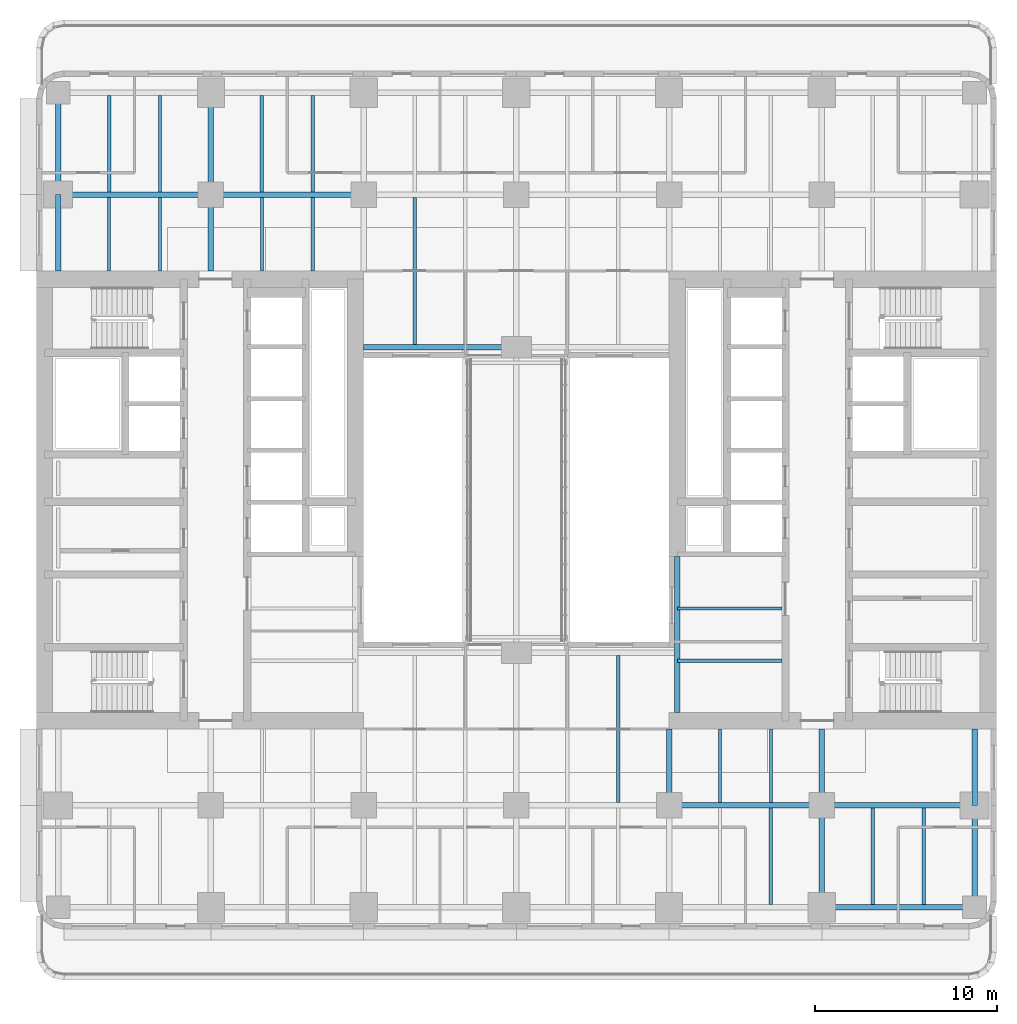
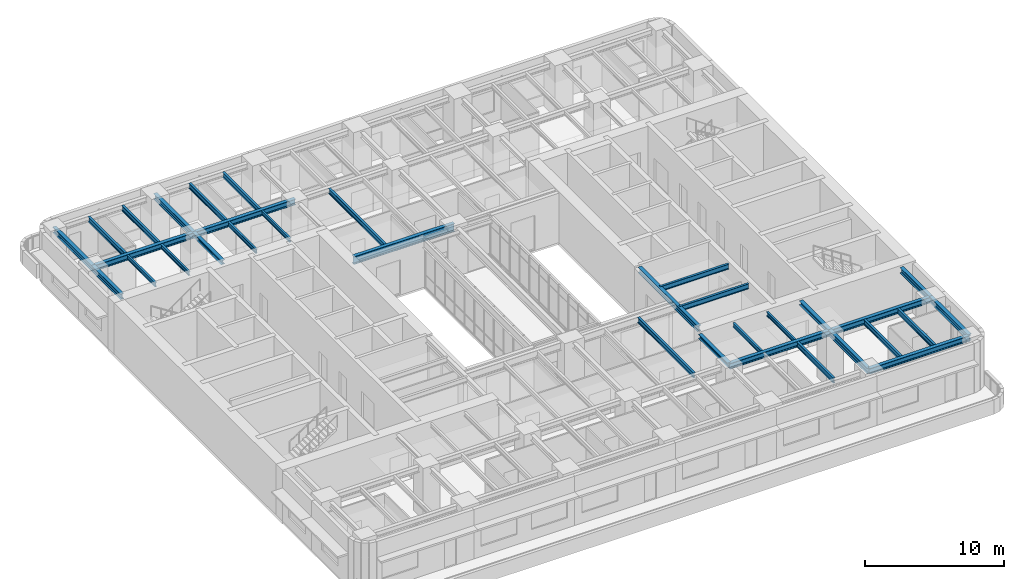
# One storey, part 4 of 17: 33 beams.
"""IFC4 building model written with IfcOpenShell, lengths in metres."""

from ifc_helpers import new_model, si_unit, direction, frame, origin, origin_2d, place, context, subcontext, project, spatial, i_section, extrude, material, material_profile, profile_set, type_object, element, save


model = new_model("IFC4")

# Units and contexts
model_context = context("Model", 3, precision=1e-05, world=origin(), true_north=direction((0.0, 1.0)))
body_context = subcontext(model_context, "Body", "Model", "MODEL_VIEW")
ifc_project = project(units=[si_unit("LENGTHUNIT", "METRE"), si_unit("AREAUNIT", "SQUARE_METRE"), si_unit("VOLUMEUNIT", "CUBIC_METRE"), si_unit("PLANEANGLEUNIT", "RADIAN"), si_unit("MASSUNIT", "GRAM", prefix="KILO")], contexts=[model_context])

# Site, building, storey
site_placement = place(None, origin())
site = spatial("IfcSite", under=ifc_project, at=site_placement, CompositionType="ELEMENT")
building_placement = place(site_placement, origin())
building = spatial("IfcBuilding", under=site, at=building_placement, Name="Claustro Exchange Tower", CompositionType="ELEMENT")
storey_placement = place(building_placement, frame((0.0, 0.0, 96.300048828125)))
storey = spatial("IfcBuildingStorey", under=building, at=storey_placement, Name="L21", CompositionType="ELEMENT", Elevation=96.300048828125)

# Beams
ifc_material_1 = material(Name="Steel S355", Category="steel")
ifc_material_profile_1 = material_profile(ifc_material_1, i_section(OverallWidth=0.300048828125, OverallDepth=0.68994140625, WebThickness=0.014404296875, FlangeThickness=0.027099609375, FilletRadius=0.027099609375, at=origin_2d()), Name="HE 700 A")
ifc_profile_set_1 = profile_set([ifc_material_profile_1], Name="Steel S355")
beam_type_1 = type_object("IfcBeamType", Name="B13 HE 700 A light well edge girder", PredefinedType="BEAM", material=ifc_profile_set_1)
beam_1_placement = place(storey_placement, frame((16.800048828125, 33.60009765625, 4.0048828125), z_axis=(1.0, 0.0, 0.0), x_axis=(0.0, 1.0, 0.0)))
element("IfcBeam", 1, at=beam_1_placement, inside=storey, type_object=beam_type_1, Name="Beam B13 L22", PredefinedType="BEAM", context=body_context, shape_type="SweptSolid", body=[
    extrude(i_section(OverallWidth=0.300048828125, OverallDepth=0.68994140625, WebThickness=0.014404296875, FlangeThickness=0.027099609375, FilletRadius=0.027099609375, at=origin_2d()), origin(), (0.0, 0.0, 1.0), 8.39990234375),
])
ifc_material_2 = material(Name="Steel S355", Category="steel")
ifc_material_profile_2 = material_profile(ifc_material_2, i_section(OverallWidth=0.169921875, OverallDepth=0.360107421875, WebThickness=0.008056640625, FlangeThickness=0.0126953125, FilletRadius=0.01806640625, at=origin_2d()), Name="IPE 360")
ifc_profile_set_2 = profile_set([ifc_material_profile_2], Name="Steel S355")
beam_type_2 = type_object("IfcBeamType", Name="B16 IPE 360 short-span beam", PredefinedType="BEAM", material=ifc_profile_set_2)
for number, where, z_axis, x_axis, name in (
    (2, (2.800048828125, 37.7900390625, 4.169921875), (0.0, 1.0, 0.0), (-1.0, 0.0, 0.0), "Beam B16 L22"),
    (3, (5.60009765625, 37.7900390625, 4.169921875), (0.0, 1.0, 0.0), (-1.0, 0.0, 0.0), "Beam B16 L22"),
    (4, (11.199951171875, 37.7900390625, 4.169921875), (0.0, 1.0, 0.0), (-1.0, 0.0, 0.0), "Beam B16 L22"),
    (5, (14.0, 37.7900390625, 4.169921875), (0.0, 1.0, 0.0), (-1.0, 0.0, 0.0), "Beam B16 L22"),
    (6, (36.39990234375, 8.550048828125, 4.169921875), (0.0, 1.0, 0.0), (-1.0, 0.0, 0.0), "Beam B16 L22"),
    (7, (39.199951171875, 8.550048828125, 4.169921875), (0.0, 1.0, 0.0), (-1.0, 0.0, 0.0), "Beam B16 L22"),
):
    element("IfcBeam", number, at=place(storey_placement, frame(where, z_axis=z_axis, x_axis=x_axis)), inside=storey, type_object=beam_type_2, Name=name, PredefinedType="BEAM", context=body_context, shape_type="SweptSolid", body=[
        extrude(i_section(OverallWidth=0.169921875, OverallDepth=0.360107421875, WebThickness=0.008056640625, FlangeThickness=0.0126953125, FilletRadius=0.01806640625, at=origin_2d()), origin(), (0.0, 0.0, 1.0), 4.06005859375),
    ])
ifc_material_3 = material(Name="Steel S355", Category="steel")
ifc_material_profile_3 = material_profile(ifc_material_3, i_section(OverallWidth=0.300048828125, OverallDepth=0.360107421875, WebThickness=0.012451171875, FlangeThickness=0.0224609375, FilletRadius=0.027099609375, at=origin_2d()), Name="HE 360 B")
ifc_profile_set_3 = profile_set([ifc_material_profile_3], Name="Steel S355")
beam_type_3 = type_object("IfcBeamType", Name="B29 HE 360 B column to core link beam", PredefinedType="BEAM", material=ifc_profile_set_3)
beam_2_placement = place(storey_placement, frame((8.39990234375, 37.800048828125, 4.169921875), z_axis=(0.0, 1.0, 0.0), x_axis=(-1.0, 0.0, 0.0)))
element("IfcBeam", 8, at=beam_2_placement, inside=storey, type_object=beam_type_3, Name="Beam B29 L22", PredefinedType="BEAM", context=body_context, shape_type="SweptSolid", body=[
    extrude(i_section(OverallWidth=0.300048828125, OverallDepth=0.360107421875, WebThickness=0.012451171875, FlangeThickness=0.0224609375, FilletRadius=0.027099609375, at=origin_2d()), origin(), (0.0, 0.0, 1.0), 4.199951171875),
])
for number, where, z_axis, x_axis, name in (
    (9, (33.60009765625, 8.39990234375, 4.169921875), (0.0, 1.0, 0.0), (-1.0, 0.0, 0.0), "Beam B29 L22"),
    (10, (42.0, 8.39990234375, 4.169921875), (0.0, 1.0, 0.0), (-1.0, 0.0, 0.0), "Beam B29 L22"),
):
    element("IfcBeam", number, at=place(storey_placement, frame(where, z_axis=z_axis, x_axis=x_axis)), inside=storey, type_object=beam_type_3, Name=name, PredefinedType="BEAM", context=body_context, shape_type="SweptSolid", body=[
        extrude(i_section(OverallWidth=0.300048828125, OverallDepth=0.360107421875, WebThickness=0.012451171875, FlangeThickness=0.0224609375, FilletRadius=0.027099609375, at=origin_2d()), origin(), (0.0, 0.0, 1.0), 4.2001953125),
    ])
ifc_material_4 = material(Name="Steel S355", Category="steel")
ifc_material_profile_4 = material_profile(ifc_material_4, i_section(OverallWidth=0.300048828125, OverallDepth=0.5, WebThickness=0.014404296875, FlangeThickness=0.028076171875, FilletRadius=0.027099609375, at=origin_2d()), Name="HE 500 B")
ifc_profile_set_4 = profile_set([ifc_material_profile_4], Name="Steel S355")
beam_type_4 = type_object("IfcBeamType", Name="B7 HE 500 B floor girder", PredefinedType="BEAM", material=ifc_profile_set_4)
beam_3_placement = place(storey_placement, frame((8.39990234375, 42.0, 4.099853515625), z_axis=(0.0, 1.0, 0.0), x_axis=(-1.0, 0.0, 0.0)))
element("IfcBeam", 11, at=beam_3_placement, inside=storey, type_object=beam_type_4, Name="Beam B7 L22", PredefinedType="BEAM", context=body_context, shape_type="SweptSolid", body=[
    extrude(i_section(OverallWidth=0.300048828125, OverallDepth=0.5, WebThickness=0.014404296875, FlangeThickness=0.028076171875, FilletRadius=0.027099609375, at=origin_2d()), origin(), (0.0, 0.0, 1.0), 5.60009765625),
])
beam_4_placement = place(storey_placement, frame((42.0, 2.800048828125, 4.099853515625), z_axis=(0.0, 1.0, 0.0), x_axis=(-1.0, 0.0, 0.0)))
element("IfcBeam", 12, at=beam_4_placement, inside=storey, type_object=beam_type_4, Name="Beam B7 L22", PredefinedType="BEAM", context=body_context, shape_type="SweptSolid", body=[
    extrude(i_section(OverallWidth=0.300048828125, OverallDepth=0.5, WebThickness=0.014404296875, FlangeThickness=0.028076171875, FilletRadius=0.027099609375, at=origin_2d()), origin(), (0.0, 0.0, 1.0), 5.599853515625),
])
for number, where, z_axis, x_axis, name in (
    (13, (33.60009765625, 8.39990234375, 4.099853515625), (1.0, 0.0, 0.0), (0.0, 1.0, 0.0), "Beam B7 L22"),
    (14, (42.0, 8.39990234375, 4.099853515625), (1.0, 0.0, 0.0), (0.0, 1.0, 0.0), "Beam B7 L22"),
    (15, (0.0, 42.0, 4.099853515625), (1.0, 0.0, 0.0), (0.0, 1.0, 0.0), "Beam B7 L22"),
):
    element("IfcBeam", number, at=place(storey_placement, frame(where, z_axis=z_axis, x_axis=x_axis)), inside=storey, type_object=beam_type_4, Name=name, PredefinedType="BEAM", context=body_context, shape_type="SweptSolid", body=[
        extrude(i_section(OverallWidth=0.300048828125, OverallDepth=0.5, WebThickness=0.014404296875, FlangeThickness=0.028076171875, FilletRadius=0.027099609375, at=origin_2d()), origin(), (0.0, 0.0, 1.0), 8.39990234375),
    ])
beam_5_placement = place(storey_placement, frame((8.39990234375, 42.0, 4.099853515625), z_axis=(1.0, 0.0, 0.0), x_axis=(0.0, 1.0, 0.0)))
element("IfcBeam", 16, at=beam_5_placement, inside=storey, type_object=beam_type_4, Name="Beam B7 L22", PredefinedType="BEAM", context=body_context, shape_type="SweptSolid", body=[
    extrude(i_section(OverallWidth=0.300048828125, OverallDepth=0.5, WebThickness=0.014404296875, FlangeThickness=0.028076171875, FilletRadius=0.027099609375, at=origin_2d()), origin(), (0.0, 0.0, 1.0), 8.400146484375),
])
beam_6_placement = place(storey_placement, frame((34.050048828125, 13.5, 4.099853515625), z_axis=(0.0, 1.0, 0.0), x_axis=(-1.0, 0.0, 0.0)))
element("IfcBeam", 17, at=beam_6_placement, inside=storey, type_object=beam_type_4, Name="Beam B7 core step framing L22", PredefinedType="BEAM", context=body_context, shape_type="SweptSolid", body=[
    extrude(i_section(OverallWidth=0.300048828125, OverallDepth=0.5, WebThickness=0.014404296875, FlangeThickness=0.028076171875, FilletRadius=0.027099609375, at=origin_2d()), origin(), (0.0, 0.0, 1.0), 8.60009765625),
])
ifc_material_5 = material(Name="Steel S355", Category="steel")
ifc_material_profile_5 = material_profile(ifc_material_5, i_section(OverallWidth=0.18994140625, OverallDepth=0.449951171875, WebThickness=0.009521484375, FlangeThickness=0.0146484375, FilletRadius=0.02099609375, at=origin_2d()), Name="IPE 450")
ifc_profile_set_5 = profile_set([ifc_material_profile_5], Name="Steel S355")
beam_type_5 = type_object("IfcBeamType", Name="B8 IPE 450 secondary beam", PredefinedType="BEAM", material=ifc_profile_set_5)
for number, where, z_axis, x_axis, name in (
    (18, (2.800048828125, 42.14990234375, 4.125), (0.0, 1.0, 0.0), (-1.0, 0.0, 0.0), "Beam B8 L22"),
    (19, (5.60009765625, 42.14990234375, 4.125), (0.0, 1.0, 0.0), (-1.0, 0.0, 0.0), "Beam B8 L22"),
    (20, (11.199951171875, 42.14990234375, 4.125), (0.0, 1.0, 0.0), (-1.0, 0.0, 0.0), "Beam B8 L22"),
    (21, (14.0, 42.14990234375, 4.125), (0.0, 1.0, 0.0), (-1.0, 0.0, 0.0), "Beam B8 L22"),
):
    element("IfcBeam", number, at=place(storey_placement, frame(where, z_axis=z_axis, x_axis=x_axis)), inside=storey, type_object=beam_type_5, Name=name, PredefinedType="BEAM", context=body_context, shape_type="SweptSolid", body=[
        extrude(i_section(OverallWidth=0.18994140625, OverallDepth=0.449951171875, WebThickness=0.009521484375, FlangeThickness=0.0146484375, FilletRadius=0.02099609375, at=origin_2d()), origin(), (0.0, 0.0, 1.0), 5.300048828125),
    ])
beam_7_placement = place(storey_placement, frame((19.60009765625, 33.75, 4.125), z_axis=(0.0, 1.0, 0.0), x_axis=(-1.0, 0.0, 0.0)))
element("IfcBeam", 22, at=beam_7_placement, inside=storey, type_object=beam_type_5, Name="Beam B8 L22", PredefinedType="BEAM", context=body_context, shape_type="SweptSolid", body=[
    extrude(i_section(OverallWidth=0.18994140625, OverallDepth=0.449951171875, WebThickness=0.009521484375, FlangeThickness=0.0146484375, FilletRadius=0.02099609375, at=origin_2d()), origin(), (0.0, 0.0, 1.0), 8.10009765625),
])
beam_8_placement = place(storey_placement, frame((30.800048828125, 8.550048828125, 4.125), z_axis=(0.0, 1.0, 0.0), x_axis=(-1.0, 0.0, 0.0)))
element("IfcBeam", 23, at=beam_8_placement, inside=storey, type_object=beam_type_5, Name="Beam B8 L22", PredefinedType="BEAM", context=body_context, shape_type="SweptSolid", body=[
    extrude(i_section(OverallWidth=0.18994140625, OverallDepth=0.449951171875, WebThickness=0.009521484375, FlangeThickness=0.0146484375, FilletRadius=0.02099609375, at=origin_2d()), origin(), (0.0, 0.0, 1.0), 8.099853515625),
])
for number, where, z_axis, x_axis, name in (
    (24, (39.199951171875, 2.949951171875, 4.125), (0.0, 1.0, 0.0), (-1.0, 0.0, 0.0), "Beam B8 L22"),
    (25, (44.800048828125, 2.949951171875, 4.125), (0.0, 1.0, 0.0), (-1.0, 0.0, 0.0), "Beam B8 L22"),
    (26, (47.60009765625, 2.949951171875, 4.125), (0.0, 1.0, 0.0), (-1.0, 0.0, 0.0), "Beam B8 L22"),
):
    element("IfcBeam", number, at=place(storey_placement, frame(where, z_axis=z_axis, x_axis=x_axis)), inside=storey, type_object=beam_type_5, Name=name, PredefinedType="BEAM", context=body_context, shape_type="SweptSolid", body=[
        extrude(i_section(OverallWidth=0.18994140625, OverallDepth=0.449951171875, WebThickness=0.009521484375, FlangeThickness=0.0146484375, FilletRadius=0.02099609375, at=origin_2d()), origin(), (0.0, 0.0, 1.0), 5.300048828125),
    ])
for number, where, z_axis, x_axis, name in (
    (27, (34.050048828125, 16.36669921875, 4.125), (1.0, 0.0, 0.0), (0.0, 1.0, 0.0), "Beam B8 core step framing L22"),
    (28, (34.050048828125, 19.2333984375, 4.125), (1.0, 0.0, 0.0), (0.0, 1.0, 0.0), "Beam B8 core step framing L22"),
):
    element("IfcBeam", number, at=place(storey_placement, frame(where, z_axis=z_axis, x_axis=x_axis)), inside=storey, type_object=beam_type_5, Name=name, PredefinedType="BEAM", context=body_context, shape_type="SweptSolid", body=[
        extrude(i_section(OverallWidth=0.18994140625, OverallDepth=0.449951171875, WebThickness=0.009521484375, FlangeThickness=0.0146484375, FilletRadius=0.02099609375, at=origin_2d()), origin(), (0.0, 0.0, 1.0), 5.75),
    ])
ifc_material_6 = material(Name="Steel S355", Category="steel")
ifc_material_profile_6 = material_profile(ifc_material_6, i_section(OverallWidth=0.300048828125, OverallDepth=0.489990234375, WebThickness=0.011962890625, FlangeThickness=0.02294921875, FilletRadius=0.027099609375, at=origin_2d()), Name="HE 500 A")
ifc_profile_set_6 = profile_set([ifc_material_profile_6], Name="Steel S355")
beam_type_6 = type_object("IfcBeamType", Name="B9 HE 500 A spandrel edge girder", PredefinedType="SPANDREL", material=ifc_profile_set_6)
beam_9_placement = place(storey_placement, frame((0.0, 37.800048828125, 4.10498046875), z_axis=(0.0, 1.0, 0.0), x_axis=(-1.0, 0.0, 0.0)))
element("IfcBeam", 29, at=beam_9_placement, inside=storey, type_object=beam_type_6, Name="Beam B9 L22", PredefinedType="SPANDREL", context=body_context, shape_type="SweptSolid", body=[
    extrude(i_section(OverallWidth=0.300048828125, OverallDepth=0.489990234375, WebThickness=0.011962890625, FlangeThickness=0.02294921875, FilletRadius=0.027099609375, at=origin_2d()), origin(), (0.0, 0.0, 1.0), 4.199951171875),
])
beam_10_placement = place(storey_placement, frame((0.0, 42.0, 4.10498046875), z_axis=(0.0, 1.0, 0.0), x_axis=(-1.0, 0.0, 0.0)))
element("IfcBeam", 30, at=beam_10_placement, inside=storey, type_object=beam_type_6, Name="Beam B9 L22", PredefinedType="SPANDREL", context=body_context, shape_type="SweptSolid", body=[
    extrude(i_section(OverallWidth=0.300048828125, OverallDepth=0.489990234375, WebThickness=0.011962890625, FlangeThickness=0.02294921875, FilletRadius=0.027099609375, at=origin_2d()), origin(), (0.0, 0.0, 1.0), 5.60009765625),
])
beam_11_placement = place(storey_placement, frame((50.39990234375, 2.800048828125, 4.10498046875), z_axis=(0.0, 1.0, 0.0), x_axis=(-1.0, 0.0, 0.0)))
element("IfcBeam", 31, at=beam_11_placement, inside=storey, type_object=beam_type_6, Name="Beam B9 L22", PredefinedType="SPANDREL", context=body_context, shape_type="SweptSolid", body=[
    extrude(i_section(OverallWidth=0.300048828125, OverallDepth=0.489990234375, WebThickness=0.011962890625, FlangeThickness=0.02294921875, FilletRadius=0.027099609375, at=origin_2d()), origin(), (0.0, 0.0, 1.0), 5.599853515625),
])
beam_12_placement = place(storey_placement, frame((50.39990234375, 8.39990234375, 4.10498046875), z_axis=(0.0, 1.0, 0.0), x_axis=(-1.0, 0.0, 0.0)))
element("IfcBeam", 32, at=beam_12_placement, inside=storey, type_object=beam_type_6, Name="Beam B9 L22", PredefinedType="SPANDREL", context=body_context, shape_type="SweptSolid", body=[
    extrude(i_section(OverallWidth=0.300048828125, OverallDepth=0.489990234375, WebThickness=0.011962890625, FlangeThickness=0.02294921875, FilletRadius=0.027099609375, at=origin_2d()), origin(), (0.0, 0.0, 1.0), 4.2001953125),
])
beam_13_placement = place(storey_placement, frame((42.0, 2.800048828125, 4.10498046875), z_axis=(1.0, 0.0, 0.0), x_axis=(0.0, 1.0, 0.0)))
element("IfcBeam", 33, at=beam_13_placement, inside=storey, type_object=beam_type_6, Name="Beam B9 L22", PredefinedType="SPANDREL", context=body_context, shape_type="SweptSolid", body=[
    extrude(i_section(OverallWidth=0.300048828125, OverallDepth=0.489990234375, WebThickness=0.011962890625, FlangeThickness=0.02294921875, FilletRadius=0.027099609375, at=origin_2d()), origin(), (0.0, 0.0, 1.0), 8.39990234375),
])

save(model, "model.ifc")
